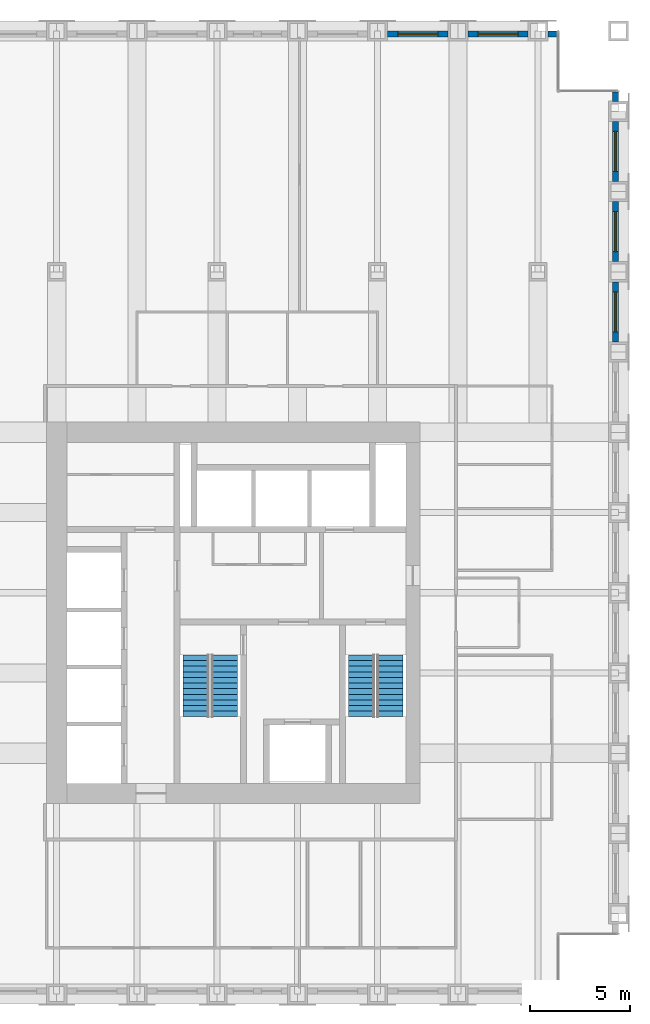
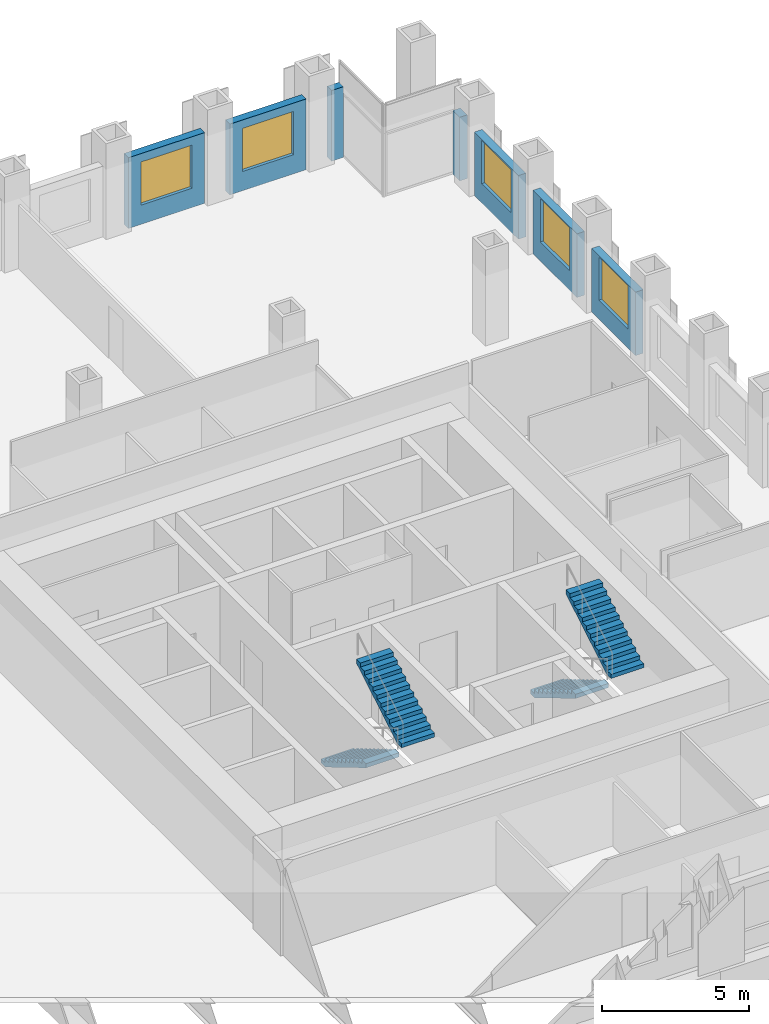
# One storey, part 12 of 13: 7 walls, 5 windows, 4 stair flights, 5 openings, 2 elements without a shape of their own.
"""IFC4 building model written with IfcOpenShell, lengths in metres."""

from ifc_helpers import new_model, si_unit, direction, frame, frame_2d, origin, place, context, subcontext, project, spatial, polyline, rectangle, outline, extrude, material, layer, layer_set, type_object, element, fill, aggregate, save


model = new_model("IFC4")

# Units and contexts
model_context = context("Model", 3, precision=1e-05, world=origin(), true_north=direction((0.0, 1.0)))
body_context = subcontext(model_context, "Body", "Model", "MODEL_VIEW")
ifc_project = project(units=[si_unit("LENGTHUNIT", "METRE"), si_unit("AREAUNIT", "SQUARE_METRE"), si_unit("VOLUMEUNIT", "CUBIC_METRE"), si_unit("PLANEANGLEUNIT", "RADIAN"), si_unit("MASSUNIT", "GRAM", prefix="KILO")], contexts=[model_context])

# Site, building, storey
site_placement = place(None, origin())
site = spatial("IfcSite", under=ifc_project, at=site_placement, CompositionType="ELEMENT")
building_placement = place(site_placement, origin())
building = spatial("IfcBuilding", under=site, at=building_placement, Name="Rimbunsela Tower", CompositionType="ELEMENT")
storey_placement = place(building_placement, frame((0.0, 0.0, 199.800048828125)))
storey = spatial("IfcBuildingStorey", under=building, at=storey_placement, Name="L48", CompositionType="ELEMENT", Elevation=199.800048828125)

# Wall, opening, window
ifc_material_1 = material(Name="Precast concrete fc' 35 MPa", Category="concrete")
ifc_layer = layer(ifc_material_1, 0.300048828125)
ifc_layer_set = layer_set([ifc_layer], Name="Precast concrete fc' 35 MPa")
wall_type = type_object("IfcWallType", Name="Precast facade panel 300", PredefinedType="ELEMENTEDWALL", material=ifc_layer_set)
wall_1_placement = place(storey_placement, frame((45.85009765625, 40.5, 0.0), z_axis=(0.0, 0.0, 1.0), x_axis=(0.0, 1.0, 0.0)))
wall_1 = element("IfcWall", 1, at=wall_1_placement, inside=storey, type_object=wall_type, Name="Facade panel E L48", PredefinedType="ELEMENTEDWALL", context=body_context, shape_type="SweptSolid", body=[
    extrude(rectangle(XDim=3.0, YDim=0.300048828125, at=frame_2d((1.5, 0.0))), origin(), (0.0, 0.0, 1.0), 2.64990234375),
])
opening_1_placement = place(wall_1_placement, frame((0.5, 0.0, 0.800048828125)))
opening_1 = element("IfcOpeningElement", 2, at=opening_1_placement, cuts=wall_1, Name="Opening W7", PredefinedType="OPENING", context=body_context, shape_type="SweptSolid", body=[
    extrude(rectangle(XDim=2.0, YDim=1.800048828125, at=frame_2d((1.0, 0.89990234375))), frame((0.0, 0.159912109375, 0.0), z_axis=(0.0, -1.0, 0.0), x_axis=(1.0, 0.0, 0.0)), (0.0, 0.0, 1.0), 0.320068359375),
])
ifc_material_2 = material(Name="Clear glass in aluminium frame", Category="aluminium")
window_type = type_object("IfcWindowType", Name="Window W7 2000x1800", PartitioningType="DOUBLE_PANEL_VERTICAL", PredefinedType="WINDOW", material=ifc_material_2)
window_1_placement = place(opening_1_placement, origin())
window_1 = element("IfcWindow", 3, at=window_1_placement, inside=storey, type_object=window_type, Name="Window L48", OverallHeight=1.800048828125, OverallWidth=2.0, PartitioningType="SINGLE_PANEL", PredefinedType="WINDOW", context=body_context, shape_type="SweptSolid", body=[
    extrude(rectangle(XDim=2.0, YDim=1.800048828125, at=frame_2d((1.0, 0.89990234375))), frame((0.0, 0.030029296875, 0.0), z_axis=(0.0, -1.0, 0.0), x_axis=(1.0, 0.0, 0.0)), (0.0, 0.0, 1.0), 0.06005859375),
])
fill(opening_1, window_1)

wall_2_placement = place(storey_placement, frame((45.85009765625, 44.5, 0.0), z_axis=(0.0, 0.0, 1.0), x_axis=(0.0, 1.0, 0.0)))
wall_2 = element("IfcWall", 4, at=wall_2_placement, inside=storey, type_object=wall_type, Name="Facade panel E L48", PredefinedType="ELEMENTEDWALL", context=body_context, shape_type="SweptSolid", body=[
    extrude(rectangle(XDim=3.0, YDim=0.300048828125, at=frame_2d((1.5, 0.0))), origin(), (0.0, 0.0, 1.0), 2.64990234375),
])
opening_2_placement = place(wall_2_placement, frame((0.5, 0.0, 0.800048828125)))
opening_2 = element("IfcOpeningElement", 5, at=opening_2_placement, cuts=wall_2, Name="Opening W7", PredefinedType="OPENING", context=body_context, shape_type="SweptSolid", body=[
    extrude(rectangle(XDim=2.0, YDim=1.800048828125, at=frame_2d((1.0, 0.89990234375))), frame((0.0, 0.159912109375, 0.0), z_axis=(0.0, -1.0, 0.0), x_axis=(1.0, 0.0, 0.0)), (0.0, 0.0, 1.0), 0.320068359375),
])
window_2_placement = place(opening_2_placement, origin())
window_2 = element("IfcWindow", 6, at=window_2_placement, inside=storey, type_object=window_type, Name="Window L48", OverallHeight=1.800048828125, OverallWidth=2.0, PartitioningType="SINGLE_PANEL", PredefinedType="WINDOW", context=body_context, shape_type="SweptSolid", body=[
    extrude(rectangle(XDim=2.0, YDim=1.800048828125, at=frame_2d((1.0, 0.89990234375))), frame((0.0, 0.030029296875, 0.0), z_axis=(0.0, -1.0, 0.0), x_axis=(1.0, 0.0, 0.0)), (0.0, 0.0, 1.0), 0.06005859375),
])
fill(opening_2, window_2)

wall_3_placement = place(storey_placement, frame((45.85009765625, 48.5, 0.0), z_axis=(0.0, 0.0, 1.0), x_axis=(0.0, 1.0, 0.0)))
wall_3 = element("IfcWall", 7, at=wall_3_placement, inside=storey, type_object=wall_type, Name="Facade panel E L48", PredefinedType="ELEMENTEDWALL", context=body_context, shape_type="SweptSolid", body=[
    extrude(rectangle(XDim=3.0, YDim=0.300048828125, at=frame_2d((1.5, 0.0))), origin(), (0.0, 0.0, 1.0), 2.64990234375),
])
opening_3_placement = place(wall_3_placement, frame((0.5, 0.0, 0.800048828125)))
opening_3 = element("IfcOpeningElement", 8, at=opening_3_placement, cuts=wall_3, Name="Opening W7", PredefinedType="OPENING", context=body_context, shape_type="SweptSolid", body=[
    extrude(rectangle(XDim=2.0, YDim=1.800048828125, at=frame_2d((1.0, 0.89990234375))), frame((0.0, 0.159912109375, 0.0), z_axis=(0.0, -1.0, 0.0), x_axis=(1.0, 0.0, 0.0)), (0.0, 0.0, 1.0), 0.320068359375),
])
window_3_placement = place(opening_3_placement, origin())
window_3 = element("IfcWindow", 9, at=window_3_placement, inside=storey, type_object=window_type, Name="Window L48", OverallHeight=1.800048828125, OverallWidth=2.0, PartitioningType="SINGLE_PANEL", PredefinedType="WINDOW", context=body_context, shape_type="SweptSolid", body=[
    extrude(rectangle(XDim=2.0, YDim=1.800048828125, at=frame_2d((1.0, 0.89990234375))), frame((0.0, 0.030029296875, 0.0), z_axis=(0.0, -1.0, 0.0), x_axis=(1.0, 0.0, 0.0)), (0.0, 0.0, 1.0), 0.06005859375),
])
fill(opening_3, window_3)

# Wall
wall_4_placement = place(storey_placement, frame((45.85009765625, 52.5, 0.0), z_axis=(0.0, 0.0, 1.0), x_axis=(0.0, 1.0, 0.0)))
element("IfcWall", 10, at=wall_4_placement, inside=storey, type_object=wall_type, Name="Facade panel E L48", PredefinedType="ELEMENTEDWALL", context=body_context, shape_type="SweptSolid", body=[
    extrude(rectangle(XDim=0.469970703125, YDim=0.300048828125, at=frame_2d((0.23486328125, 0.0))), origin(), (0.0, 0.0, 1.0), 2.64990234375),
])

# Wall, opening, window
wall_5_placement = place(storey_placement, frame((37.5, 55.85009765625, 0.0), z_axis=(0.0, 0.0, 1.0), x_axis=(-1.0, 0.0, 0.0)))
wall_5 = element("IfcWall", 11, at=wall_5_placement, inside=storey, type_object=wall_type, Name="Facade panel N L48", PredefinedType="ELEMENTEDWALL", context=body_context, shape_type="SweptSolid", body=[
    extrude(rectangle(XDim=3.0, YDim=0.300048828125, at=frame_2d((1.5, 0.0))), origin(), (0.0, 0.0, 1.0), 2.949951171875),
])
opening_4_placement = place(wall_5_placement, frame((0.5, 0.0, 0.800048828125)))
opening_4 = element("IfcOpeningElement", 12, at=opening_4_placement, cuts=wall_5, Name="Opening W7", PredefinedType="OPENING", context=body_context, shape_type="SweptSolid", body=[
    extrude(rectangle(XDim=2.0, YDim=1.800048828125, at=frame_2d((1.0, 0.89990234375))), frame((0.0, 0.159912109375, 0.0), z_axis=(0.0, -1.0, 0.0), x_axis=(1.0, 0.0, 0.0)), (0.0, 0.0, 1.0), 0.320068359375),
])
window_4_placement = place(opening_4_placement, origin())
window_4 = element("IfcWindow", 13, at=window_4_placement, inside=storey, type_object=window_type, Name="Window L48", OverallHeight=1.800048828125, OverallWidth=2.0, PartitioningType="SINGLE_PANEL", PredefinedType="WINDOW", context=body_context, shape_type="SweptSolid", body=[
    extrude(rectangle(XDim=2.0, YDim=1.800048828125, at=frame_2d((1.0, 0.89990234375))), frame((0.0, 0.030029296875, 0.0), z_axis=(0.0, -1.0, 0.0), x_axis=(1.0, 0.0, 0.0)), (0.0, 0.0, 1.0), 0.06005859375),
])
fill(opening_4, window_4)

wall_6_placement = place(storey_placement, frame((41.5, 55.85009765625, 0.0), z_axis=(0.0, 0.0, 1.0), x_axis=(-1.0, 0.0, 0.0)))
wall_6 = element("IfcWall", 14, at=wall_6_placement, inside=storey, type_object=wall_type, Name="Facade panel N L48", PredefinedType="ELEMENTEDWALL", context=body_context, shape_type="SweptSolid", body=[
    extrude(rectangle(XDim=3.0, YDim=0.300048828125, at=frame_2d((1.5, 0.0))), origin(), (0.0, 0.0, 1.0), 2.949951171875),
])
opening_5_placement = place(wall_6_placement, frame((0.5, 0.0, 0.800048828125)))
opening_5 = element("IfcOpeningElement", 15, at=opening_5_placement, cuts=wall_6, Name="Opening W7", PredefinedType="OPENING", context=body_context, shape_type="SweptSolid", body=[
    extrude(rectangle(XDim=2.0, YDim=1.800048828125, at=frame_2d((1.0, 0.89990234375))), frame((0.0, 0.159912109375, 0.0), z_axis=(0.0, -1.0, 0.0), x_axis=(1.0, 0.0, 0.0)), (0.0, 0.0, 1.0), 0.320068359375),
])
window_5_placement = place(opening_5_placement, origin())
window_5 = element("IfcWindow", 16, at=window_5_placement, inside=storey, type_object=window_type, Name="Window L48", OverallHeight=1.800048828125, OverallWidth=2.0, PartitioningType="SINGLE_PANEL", PredefinedType="WINDOW", context=body_context, shape_type="SweptSolid", body=[
    extrude(rectangle(XDim=2.0, YDim=1.800048828125, at=frame_2d((1.0, 0.89990234375))), frame((0.0, 0.030029296875, 0.0), z_axis=(0.0, -1.0, 0.0), x_axis=(1.0, 0.0, 0.0)), (0.0, 0.0, 1.0), 0.06005859375),
])
fill(opening_5, window_5)

# Wall
wall_7_placement = place(storey_placement, frame((42.969970703125, 55.85009765625, 0.0), z_axis=(0.0, 0.0, 1.0), x_axis=(-1.0, 0.0, 0.0)))
element("IfcWall", 17, at=wall_7_placement, inside=storey, type_object=wall_type, Name="Facade panel N L48", PredefinedType="ELEMENTEDWALL", context=body_context, shape_type="SweptSolid", body=[
    extrude(rectangle(XDim=0.469970703125, YDim=0.300048828125, at=frame_2d((0.23486328125, 0.0))), origin(), (0.0, 0.0, 1.0), 2.949951171875),
])

# Stair, stair flights
ifc_material_3 = material(Name="Concrete fc' 35 MPa", Category="concrete")
stair_type = type_object("IfcStairType", Name="Exit stair 24 risers", PredefinedType="HALF_TURN_STAIR", material=ifc_material_3)
stair_1_placement = place(storey_placement, origin())
stair_1 = element("IfcStair", 18, at=stair_1_placement, inside=storey, type_object=stair_type, Name="Exit stair A L48", PredefinedType="HALF_TURN_STAIR")
ifc_material_4 = material(Name="Concrete fc' 35 MPa", Category="concrete")
stair_flight_type = type_object("IfcStairFlightType", Name="Stair flight 12 risers 167", PredefinedType="STRAIGHT", material=ifc_material_4)
stair_flight_1_placement = place(storey_placement, frame((24.949951171875, 24.89990234375, 0.0), z_axis=(0.0, 0.0, 1.0), x_axis=(0.0, -1.0, 0.0)))
stair_flight_1 = element("IfcStairFlight", 19, at=stair_flight_1_placement, type_object=stair_flight_type, Name="ST-A flight 1", NumberOfRisers=12, NumberOfTreads=11, PredefinedType="STRAIGHT", RiserHeight=0.166666667, TreadLength=0.28, context=body_context, shape_type="SweptSolid", body=[
    extrude(outline(polyline([(0.0, 0.0), (0.0, 0.166748046875), (0.280029296875, 0.166748046875), (0.280029296875, 0.333251953125), (0.56005859375, 0.333251953125), (0.56005859375, 0.5), (0.840087890625, 0.5), (0.840087890625, 0.666748046875), (1.1201171875, 0.666748046875), (1.1201171875, 0.833251953125), (1.39990234375, 0.833251953125), (1.39990234375, 1.0), (1.679931640625, 1.0), (1.679931640625, 1.166748046875), (1.9599609375, 1.166748046875), (1.9599609375, 1.333251953125), (2.239990234375, 1.333251953125), (2.239990234375, 1.5), (2.52001953125, 1.5), (2.52001953125, 1.666748046875), (2.800048828125, 1.666748046875), (2.800048828125, 1.833251953125), (3.080078125, 1.833251953125), (3.080078125, 2.0), (3.080078125, 1.658935546875), (0.29296875, 0.0), (0.0, 0.0)])), frame((0.0, 0.64990234375, 0.0), z_axis=(0.0, -1.0, 0.0), x_axis=(1.0, 0.0, 0.0)), (0.0, 0.0, 1.0), 1.300048828125),
])
stair_flight_2_placement = place(storey_placement, frame((26.35009765625, 21.820068359375, 2.0), z_axis=(0.0, 0.0, 1.0), x_axis=(0.0, 1.0, 0.0)))
stair_flight_2 = element("IfcStairFlight", 20, at=stair_flight_2_placement, type_object=stair_flight_type, Name="ST-A flight 2", NumberOfRisers=12, NumberOfTreads=11, PredefinedType="STRAIGHT", RiserHeight=0.166666667, TreadLength=0.28, context=body_context, shape_type="SweptSolid", body=[
    extrude(outline(polyline([(0.0, 0.0), (0.0, 0.166748046875), (0.280029296875, 0.166748046875), (0.280029296875, 0.333251953125), (0.56005859375, 0.333251953125), (0.56005859375, 0.5), (0.840087890625, 0.5), (0.840087890625, 0.666748046875), (1.1201171875, 0.666748046875), (1.1201171875, 0.833251953125), (1.39990234375, 0.833251953125), (1.39990234375, 1.0), (1.679931640625, 1.0), (1.679931640625, 1.166748046875), (1.9599609375, 1.166748046875), (1.9599609375, 1.333251953125), (2.239990234375, 1.333251953125), (2.239990234375, 1.5), (2.52001953125, 1.5), (2.52001953125, 1.666748046875), (2.800048828125, 1.666748046875), (2.800048828125, 1.833251953125), (3.080078125, 1.833251953125), (3.080078125, 2.0), (3.080078125, 1.658935546875), (0.29296875, 0.0), (0.0, 0.0)])), frame((0.0, 0.64990234375, 0.0), z_axis=(0.0, -1.0, 0.0), x_axis=(1.0, 0.0, 0.0)), (0.0, 0.0, 1.0), 1.300048828125),
])
aggregate(stair_1, [stair_flight_1, stair_flight_2])

stair_2_placement = place(storey_placement, origin())
stair_2 = element("IfcStair", 21, at=stair_2_placement, inside=storey, type_object=stair_type, Name="Exit stair B L48", PredefinedType="HALF_TURN_STAIR")
stair_flight_3_placement = place(storey_placement, frame((33.199951171875, 24.89990234375, 0.0), z_axis=(0.0, 0.0, 1.0), x_axis=(0.0, -1.0, 0.0)))
stair_flight_3 = element("IfcStairFlight", 22, at=stair_flight_3_placement, type_object=stair_flight_type, Name="ST-B flight 1", NumberOfRisers=12, NumberOfTreads=11, PredefinedType="STRAIGHT", RiserHeight=0.166666667, TreadLength=0.28, context=body_context, shape_type="SweptSolid", body=[
    extrude(outline(polyline([(0.0, 0.0), (0.0, 0.166748046875), (0.280029296875, 0.166748046875), (0.280029296875, 0.333251953125), (0.56005859375, 0.333251953125), (0.56005859375, 0.5), (0.840087890625, 0.5), (0.840087890625, 0.666748046875), (1.1201171875, 0.666748046875), (1.1201171875, 0.833251953125), (1.39990234375, 0.833251953125), (1.39990234375, 1.0), (1.679931640625, 1.0), (1.679931640625, 1.166748046875), (1.9599609375, 1.166748046875), (1.9599609375, 1.333251953125), (2.239990234375, 1.333251953125), (2.239990234375, 1.5), (2.52001953125, 1.5), (2.52001953125, 1.666748046875), (2.800048828125, 1.666748046875), (2.800048828125, 1.833251953125), (3.080078125, 1.833251953125), (3.080078125, 2.0), (3.080078125, 1.658935546875), (0.29296875, 0.0), (0.0, 0.0)])), frame((0.0, 0.64990234375, 0.0), z_axis=(0.0, -1.0, 0.0), x_axis=(1.0, 0.0, 0.0)), (0.0, 0.0, 1.0), 1.300048828125),
])
stair_flight_4_placement = place(storey_placement, frame((34.60009765625, 21.820068359375, 2.0), z_axis=(0.0, 0.0, 1.0), x_axis=(0.0, 1.0, 0.0)))
stair_flight_4 = element("IfcStairFlight", 23, at=stair_flight_4_placement, type_object=stair_flight_type, Name="ST-B flight 2", NumberOfRisers=12, NumberOfTreads=11, PredefinedType="STRAIGHT", RiserHeight=0.166666667, TreadLength=0.28, context=body_context, shape_type="SweptSolid", body=[
    extrude(outline(polyline([(0.0, 0.0), (0.0, 0.166748046875), (0.280029296875, 0.166748046875), (0.280029296875, 0.333251953125), (0.56005859375, 0.333251953125), (0.56005859375, 0.5), (0.840087890625, 0.5), (0.840087890625, 0.666748046875), (1.1201171875, 0.666748046875), (1.1201171875, 0.833251953125), (1.39990234375, 0.833251953125), (1.39990234375, 1.0), (1.679931640625, 1.0), (1.679931640625, 1.166748046875), (1.9599609375, 1.166748046875), (1.9599609375, 1.333251953125), (2.239990234375, 1.333251953125), (2.239990234375, 1.5), (2.52001953125, 1.5), (2.52001953125, 1.666748046875), (2.800048828125, 1.666748046875), (2.800048828125, 1.833251953125), (3.080078125, 1.833251953125), (3.080078125, 2.0), (3.080078125, 1.658935546875), (0.29296875, 0.0), (0.0, 0.0)])), frame((0.0, 0.64990234375, 0.0), z_axis=(0.0, -1.0, 0.0), x_axis=(1.0, 0.0, 0.0)), (0.0, 0.0, 1.0), 1.300048828125),
])
aggregate(stair_2, [stair_flight_3, stair_flight_4])

save(model, "model.ifc")
